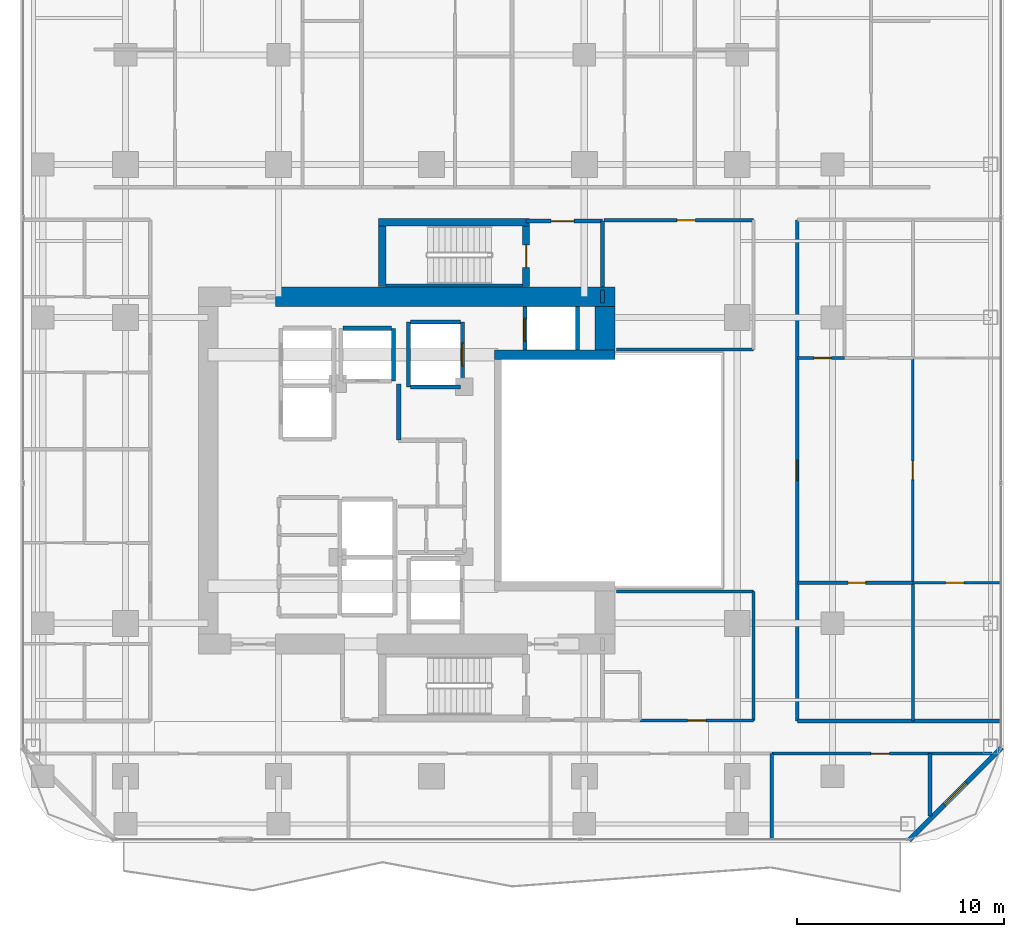
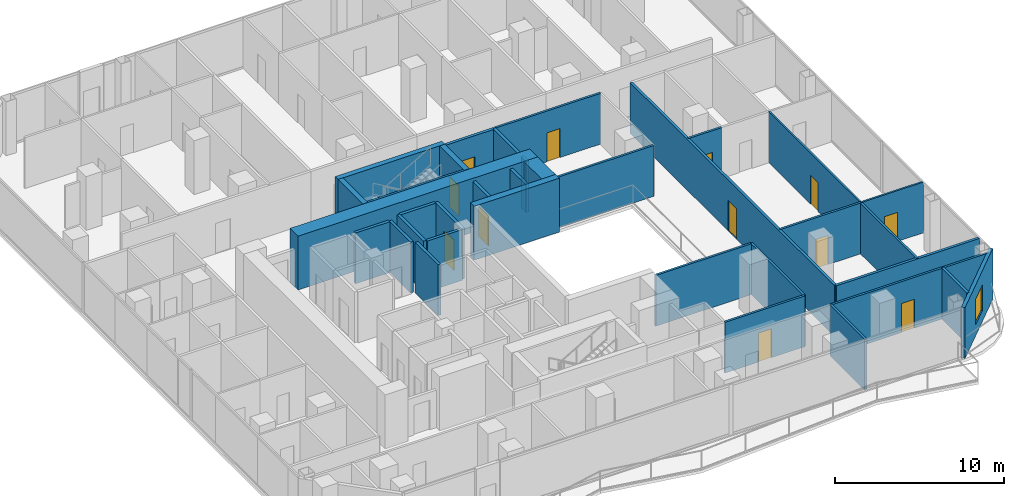
# One storey, part 21 of 26: 35 walls, 12 doors, 1 window, 13 openings.
"""IFC4 building model written with IfcOpenShell, lengths in metres."""

import ifcopenshell
import ifcopenshell.guid

model = None  # the IFC model being written
_history = None  # IfcOwnerHistory: only IFC2X3 demands one
_inside = {}  # id of a spatial element -> (the spatial element, [elements in it])
_under = {}  # id of a project, library or spatial element -> (it, [spatial elements below it])
_declared = {}  # id of a project -> (the project, [libraries it declares])
_typed = {}  # id of a type object -> (the type object, [elements of that type])
_made_of = {}  # id of a material, layer set ... -> (it, [elements and type objects made of it])


def new_model(schema):
    """Start an empty IFC model of exactly this schema.

    Asked for "IFC4X3", IfcOpenShell would pick the latest addendum, in which some entities
    have other attributes; the version numbers below select the first issue.
    IFC2X3 requires an IfcOwnerHistory on every rooted entity: one is made here for all.
    """
    global model, _history
    if schema == "IFC4X3":
        model = ifcopenshell.file(schema_version=(4, 3, 0, 0))
    else:
        model = ifcopenshell.file(schema=schema)
    _inside.clear()
    _under.clear()
    _declared.clear()
    _typed.clear()
    _made_of.clear()
    _history = None
    if model.schema == "IFC2X3":
        org = make("IfcOrganization", Name="unknown")
        user = make(
            "IfcPersonAndOrganization",
            ThePerson=make("IfcPerson", FamilyName="unknown"),
            TheOrganization=org,
        )
        app = make(
            "IfcApplication",
            ApplicationDeveloper=org,
            Version="unknown",
            ApplicationFullName="unknown",
            ApplicationIdentifier="unknown",
        )
        _history = make(
            "IfcOwnerHistory",
            OwningUser=user,
            OwningApplication=app,
            ChangeAction="ADDED",
            CreationDate=0,
        )
    return model


def make(cls, **values):
    """One entity of the class cls with the attributes given. An attribute that is None is left unset."""
    return model.create_entity(
        cls, **{name: value for name, value in values.items() if value is not None}
    )


def rooted(cls, **values):
    """An entity with a GlobalId (a new one), such as an element, a storey or a relation."""
    return make(cls, GlobalId=ifcopenshell.guid.new(), OwnerHistory=_history, **values)


def si_unit(unit_type, name, prefix=None):
    """IfcSIUnit, for example si_unit("LENGTHUNIT", "METRE", prefix="MILLI")."""
    return make("IfcSIUnit", UnitType=unit_type, Prefix=prefix, Name=name)


def assignment(units):
    """IfcUnitAssignment: the units of a project."""
    return None if units is None else make("IfcUnitAssignment", Units=units)


def point(xyz):
    """IfcCartesianPoint."""
    return None if xyz is None else make("IfcCartesianPoint", Coordinates=xyz)


def direction(xyz):
    """IfcDirection."""
    return None if xyz is None else make("IfcDirection", DirectionRatios=xyz)


def frame(location, z_axis=None, x_axis=None):
    """IfcAxis2Placement3D, a coordinate frame: its origin and axes. An axis left out is left unset."""
    return make(
        "IfcAxis2Placement3D",
        Location=point(location),
        Axis=direction(z_axis),
        RefDirection=direction(x_axis),
    )


def frame_2d(location, x_axis=None):
    """IfcAxis2Placement2D, a coordinate frame in the plane: its origin and x axis."""
    return make(
        "IfcAxis2Placement2D", Location=point(location), RefDirection=direction(x_axis)
    )


def origin():
    """The frame at (0, 0, 0) with its axes left unset."""
    return frame((0.0, 0.0, 0.0))


def place(relative_to, where):
    """IfcLocalPlacement: puts the frame where relative to a parent placement (None: the world)."""
    return make(
        "IfcLocalPlacement", PlacementRelTo=relative_to, RelativePlacement=where
    )


def context(
    kind, dimensions, precision=None, world=None, true_north=None, identifier=None
):
    """IfcGeometricRepresentationContext, for example the 3D "Model" context."""
    return make(
        "IfcGeometricRepresentationContext",
        ContextIdentifier=identifier,
        ContextType=kind,
        CoordinateSpaceDimension=dimensions,
        Precision=precision,
        WorldCoordinateSystem=world,
        TrueNorth=true_north,
    )


def subcontext(parent, identifier, kind, view, scale=None):
    """IfcGeometricRepresentationSubContext, for example "Body" below "Model"."""
    return make(
        "IfcGeometricRepresentationSubContext",
        ContextIdentifier=identifier,
        ContextType=kind,
        ParentContext=parent,
        TargetScale=scale,
        TargetView=view,
    )


def project(units=None, contexts=None):
    """IfcProject with its units and contexts."""
    return rooted(
        "IfcProject",
        Name="project",
        RepresentationContexts=contexts,
        UnitsInContext=assignment(units),
    )


def spatial(cls, under=None, at=None, **own):
    """A site, building, storey or space (cls), placed at a placement, below another one or the project."""
    s = rooted(cls, ObjectPlacement=at, **own)
    if under is not None:
        _under.setdefault(under.id(), (under, []))[1].append(s)
    return s


def profile(cls, at=None, kind="AREA", **sizes):
    """A parametric profile (cls). Its sizes go by their IFC names, for example OverallWidth=200.0."""
    return make(cls, ProfileType=kind, Position=at, **sizes)


def rectangle(**sizes):
    """IfcRectangleProfileDef."""
    return profile("IfcRectangleProfileDef", **sizes)


def extrude(swept, where, along, depth):
    """IfcExtrudedAreaSolid: the profile swept, set in the frame where, extruded along a direction by depth."""
    return make(
        "IfcExtrudedAreaSolid",
        SweptArea=swept,
        Position=where,
        ExtrudedDirection=direction(along),
        Depth=depth,
    )


def shape(context_of_items, identifier, shape_type, items):
    """IfcShapeRepresentation: the items that make up one representation, for example the "Body"."""
    return make(
        "IfcShapeRepresentation",
        ContextOfItems=context_of_items,
        RepresentationIdentifier=identifier,
        RepresentationType=shape_type,
        Items=items,
    )


def material(Name=None, Category=None):
    """IfcMaterial."""
    return make("IfcMaterial", Name=Name, Category=Category)


def layer(
    of_material, thickness, ventilated=None, Name=None, Category=None, Priority=None
):
    """IfcMaterialLayer: one layer of a wall or slab, of a material (None: an air gap)."""
    return make(
        "IfcMaterialLayer",
        Material=of_material,
        LayerThickness=thickness,
        IsVentilated=ventilated,
        Name=Name,
        Category=Category,
        Priority=Priority,
    )


def layer_set(layers, Name=None):
    """IfcMaterialLayerSet."""
    return make("IfcMaterialLayerSet", MaterialLayers=layers, LayerSetName=Name)


def made_of(thing, what):
    """Note that an element or type object is made of a material, layer set ...; save() writes the relation."""
    if what is not None:
        _made_of.setdefault(what.id(), (what, []))[1].append(thing)
    return thing


def type_object(cls, material=None, **own):
    """A type object (cls), such as IfcWallType, which elements share."""
    return made_of(rooted(cls, **own), material)


def element(
    cls,
    number,
    at=None,
    inside=None,
    cuts=None,
    type_object=None,
    material=None,
    context=None,
    identifier="Body",
    shape_type=None,
    held_by="IfcProductDefinitionShape",
    body=None,
    shapes=None,
    **own,
):
    """One element of the class cls, such as IfcWall. Its Tag is "e" and its number.

    at: its placement. inside: the storey or other place that contains it. cuts: it is an
    opening in that element (IfcRelVoidsElement). A single representation is given by context,
    identifier, shape_type and body (its items); several are given by shapes. held_by: the class
    of the entity that holds the representations. save() writes the other relations.
    """
    e = rooted(cls, Tag="e%d" % number, ObjectPlacement=at, **own)
    if body is not None:
        shapes = [shape(context, identifier, shape_type, body)]
    if shapes is not None:
        e.Representation = make(held_by, Representations=shapes)
    if inside is not None:
        _inside.setdefault(inside.id(), (inside, []))[1].append(e)
    if cuts is not None:
        rooted(
            "IfcRelVoidsElement", RelatingBuildingElement=cuts, RelatedOpeningElement=e
        )
    if type_object is not None:
        _typed.setdefault(type_object.id(), (type_object, []))[1].append(e)
    return made_of(e, material)


def fill(opening, filler):
    """IfcRelFillsElement: the door or window that sits in an opening."""
    return rooted(
        "IfcRelFillsElement",
        RelatingOpeningElement=opening,
        RelatedBuildingElement=filler,
    )


def aggregate(whole, parts):
    """IfcRelAggregates: a whole, such as a stair, and the parts it consists of."""
    return rooted("IfcRelAggregates", RelatingObject=whole, RelatedObjects=parts)


def save(model, path):
    """Write the relations noted so far, then the file.

    IfcRelAggregates (storeys below a building ...), IfcRelContainedInSpatialStructure (elements
    in a storey), IfcRelDefinesByType, IfcRelAssociatesMaterial and IfcRelDeclares: one each for
    every whole, place, type object, material and project.
    """
    for whole, parts in _under.values():
        aggregate(whole, parts)
    for where, things in _inside.values():
        rooted(
            "IfcRelContainedInSpatialStructure",
            RelatedElements=things,
            RelatingStructure=where,
        )
    for kind, things in _typed.values():
        rooted("IfcRelDefinesByType", RelatedObjects=things, RelatingType=kind)
    for what, things in _made_of.values():
        rooted("IfcRelAssociatesMaterial", RelatedObjects=things, RelatingMaterial=what)
    for by, libraries in _declared.values():
        rooted("IfcRelDeclares", RelatingContext=by, RelatedDefinitions=libraries)
    model.write(path)


model = new_model("IFC4")

# Units and contexts
model_context = context("Model", 3, precision=1e-05, world=origin(), true_north=direction((0.0, 1.0)))
body_context = subcontext(model_context, "Body", "Model", "MODEL_VIEW")
ifc_project = project(units=[si_unit("LENGTHUNIT", "METRE"), si_unit("AREAUNIT", "SQUARE_METRE"), si_unit("VOLUMEUNIT", "CUBIC_METRE"), si_unit("PLANEANGLEUNIT", "RADIAN"), si_unit("MASSUNIT", "GRAM", prefix="KILO")], contexts=[model_context])

# Site, building, storey
site_placement = place(None, origin())
site = spatial("IfcSite", under=ifc_project, at=site_placement, CompositionType="ELEMENT")
building_placement = place(site_placement, origin())
building = spatial("IfcBuilding", under=site, at=building_placement, Name="Khorvyn Point Tower", CompositionType="ELEMENT")
storey_placement = place(building_placement, frame((0.0, 0.0, 113.39990234375)))
storey = spatial("IfcBuildingStorey", under=building, at=storey_placement, Name="L28", CompositionType="ELEMENT", Elevation=113.39990234375)

# Wall, opening, door
ifc_material_1 = material(Name="Double acoustic gypsum on twin steel stud", Category="steel")
ifc_layer_1 = layer(ifc_material_1, 0.179931640625)
ifc_layer_set_1 = layer_set([ifc_layer_1], Name="Acoustic Double-Stud Apartment Demising Wall 180")
wall_type_1 = type_object("IfcWallType", Name="Acoustic Double-Stud Apartment Demising Wall 180", PredefinedType="PARTITIONING", material=ifc_layer_set_1)
wall_1_placement = place(storey_placement, frame((17.699951171875, -12.1201171875, 0.0), z_axis=(0.0, 0.0, 1.0), x_axis=(0.0, 1.0, 0.0)))
wall_1 = element("IfcWall", 1, at=wall_1_placement, inside=storey, type_object=wall_type_1, Name="Wall", PredefinedType="PARTITIONING", context=body_context, shape_type="SweptSolid", body=[
    extrude(rectangle(XDim=24.240234375, YDim=0.179931640625, at=frame_2d((12.1201171875, 0.0))), origin(), (0.0, 0.0, 1.0), 3.68017578125),
])
opening_1_placement = place(wall_1_placement, frame((11.6201171875, 0.0, 0.0)))
opening_1 = element("IfcOpeningElement", 2, at=opening_1_placement, cuts=wall_1, Name="Opening ID-AP60", PredefinedType="OPENING", context=body_context, shape_type="SweptSolid", body=[
    extrude(rectangle(XDim=1.0, YDim=2.199951171875, at=frame_2d((0.5, 1.10009765625))), frame((0.0, 0.099853515625, 0.0), z_axis=(0.0, -1.0, 0.0), x_axis=(1.0, 0.0, 0.0)), (0.0, 0.0, 1.0), 0.199951171875),
])
ifc_material_2 = material(Name="Engineered hardwood fire-rated leaf", Category="wood")
door_type_1 = type_object("IfcDoorType", Name="Acoustic Solid-Core Timber Apartment Entrance Door 1000x2200", OperationType="NOTDEFINED", PredefinedType="DOOR", material=ifc_material_2)
door_1_placement = place(opening_1_placement, origin())
door_1 = element("IfcDoor", 3, at=door_1_placement, inside=storey, type_object=door_type_1, Name="Door", OperationType="SINGLE_SWING_RIGHT", OverallHeight=2.199951171875, OverallWidth=1.0, PredefinedType="DOOR", context=body_context, shape_type="SweptSolid", body=[
    extrude(rectangle(XDim=1.0, YDim=2.199951171875, at=frame_2d((0.5, 1.10009765625))), frame((0.0, 0.02490234375, 0.0), z_axis=(0.0, -1.0, 0.0), x_axis=(1.0, 0.0, 0.0)), (0.0, 0.0, 1.0), 0.050048828125),
])
fill(opening_1, door_1)

# Walls
wall_2_placement = place(storey_placement, frame((24.1201171875, -16.7099609375, 0.0), z_axis=(0.0, 0.0, 1.0), x_axis=(0.0, 1.0, 0.0)))
element("IfcWall", 4, at=wall_2_placement, inside=storey, type_object=wall_type_1, Name="Wall", PredefinedType="PARTITIONING", context=body_context, shape_type="SweptSolid", body=[
    extrude(rectangle(XDim=3.010009765625, YDim=0.179931640625, at=frame_2d((1.5048828125, 0.0))), origin(), (0.0, 0.0, 1.0), 3.68017578125),
])
wall_3_placement = place(storey_placement, frame((17.699951171875, -12.1201171875, 0.0), z_axis=(0.0, 0.0, 1.0), x_axis=(1.0, 0.0, 0.0)))
element("IfcWall", 5, at=wall_3_placement, inside=storey, type_object=wall_type_1, Name="Wall", PredefinedType="PARTITIONING", context=body_context, shape_type="SweptSolid", body=[
    extrude(rectangle(XDim=9.830078125, YDim=0.179931640625, at=frame_2d((4.9150390625, 0.0))), origin(), (0.0, 0.0, 1.0), 3.68017578125),
])

# Wall, opening, window
ifc_material_3 = material(Name="Pale anodised aluminium rainscreen on steel stud", Category="steel")
ifc_layer_2 = layer(ifc_material_3, 0.239990234375)
ifc_layer_set_2 = layer_set([ifc_layer_2], Name="Anodised Aluminium Insulated Corner Spandrel Wall 240")
wall_type_2 = type_object("IfcWallType", Name="Anodised Aluminium Insulated Corner Spandrel Wall 240", PredefinedType="SOLIDWALL", material=ifc_layer_set_2)
wall_4_placement = place(storey_placement, frame((27.59228515625, -13.40771484375, 0.0), z_axis=(0.0, 0.0, 1.0), x_axis=(-0.707106781187, -0.707106781187, 0.0)))
wall_4 = element("IfcWall", 6, at=wall_4_placement, inside=storey, type_object=wall_type_2, Name="L28 Rounded Corner Wall SE", PredefinedType="SOLIDWALL", context=body_context, shape_type="SweptSolid", body=[
    extrude(rectangle(XDim=6.34228515625, YDim=0.239990234375, at=frame_2d((3.171142578125, 0.0))), origin(), (0.0, 0.0, 1.0), 3.68017578125),
])
opening_2_placement = place(wall_4_placement, frame((2.42138671875, 0.0, 0.800048828125)))
opening_2 = element("IfcOpeningElement", 7, at=opening_2_placement, cuts=wall_4, Name="Opening WN-1518", PredefinedType="OPENING", context=body_context, shape_type="SweptSolid", body=[
    extrude(rectangle(XDim=1.5, YDim=1.85009765625, at=frame_2d((0.75, 0.925048828125))), frame((0.0, 0.1298828125, 0.0), z_axis=(0.0, -1.0, 0.0), x_axis=(1.0, 0.0, 0.0)), (0.0, 0.0, 1.0), 0.260009765625),
])
ifc_material_4 = material(Name="Anodised aluminium 6063-T6 and laminated Low-E glass", Category="aluminium")
window_type = type_object("IfcWindowType", Name="Anodised Aluminium Rounded-Corner Panoramic Window 1500x1850", PartitioningType="SINGLE_PANEL", PredefinedType="WINDOW", material=ifc_material_4)
window_placement = place(opening_2_placement, origin())
window = element("IfcWindow", 8, at=window_placement, inside=storey, type_object=window_type, Name="L28 Corner Panoramic Window SE", OverallHeight=1.85009765625, OverallWidth=1.5, PartitioningType="SINGLE_PANEL", PredefinedType="WINDOW", context=body_context, shape_type="SweptSolid", body=[
    extrude(rectangle(XDim=1.5, YDim=1.85009765625, at=frame_2d((0.75, 0.925048828125))), frame((0.0, 0.030029296875, 0.0), z_axis=(0.0, -1.0, 0.0), x_axis=(1.0, 0.0, 0.0)), (0.0, 0.0, 1.0), 0.06005859375),
])
fill(opening_2, window)

# Wall
ifc_material_5 = material(Name="Concrete C40/50", Category="concrete")
ifc_layer_3 = layer(ifc_material_5, 0.449951171875)
ifc_layer_set_3 = layer_set([ifc_layer_3], Name="Concrete C40/50 Core Shear Wall 450")
wall_type_3 = type_object("IfcWallType", Name="Concrete C40/50 Core Shear Wall 450", PredefinedType="SHEAR", material=ifc_layer_set_3)
wall_5_placement = place(storey_placement, frame((3.044921875, 5.60009765625, 0.0), z_axis=(0.0, 0.0, 1.0), x_axis=(1.0, 0.0, 0.0)))
element("IfcWall", 9, at=wall_5_placement, inside=storey, type_object=wall_type_3, Name="Wall", PredefinedType="SHEAR", context=body_context, shape_type="SweptSolid", body=[
    extrude(rectangle(XDim=5.830078125, YDim=0.449951171875, at=frame_2d((2.9150390625, 0.0))), origin(), (0.0, 0.0, 1.0), 3.900146484375),
])

# Wall, opening, door
ifc_layer_4 = layer(ifc_material_5, 0.199951171875)
ifc_layer_set_4 = layer_set([ifc_layer_4], Name="Concrete C40/50 Fire-Lobby Compartment Wall 200")
wall_type_4 = type_object("IfcWallType", Name="Concrete C40/50 Fire-Lobby Compartment Wall 200", PredefinedType="SOLIDWALL", material=ifc_layer_set_4)
wall_6_placement = place(storey_placement, frame((4.580078125, 12.06005859375, 0.0), z_axis=(0.0, 0.0, 1.0), x_axis=(1.0, 0.0, 0.0)))
wall_6 = element("IfcWall", 10, at=wall_6_placement, inside=storey, type_object=wall_type_4, Name="Wall", PredefinedType="SOLIDWALL", context=body_context, shape_type="SweptSolid", body=[
    extrude(rectangle(XDim=3.699951171875, YDim=0.199951171875, at=frame_2d((1.85009765625, 0.0))), origin(), (0.0, 0.0, 1.0), 3.68017578125),
])
opening_3_placement = place(wall_6_placement, frame((1.21240234375, 0.0, 0.0)))
opening_3 = element("IfcOpeningElement", 11, at=opening_3_placement, cuts=wall_6, Name="Opening ID-FL90", PredefinedType="OPENING", context=body_context, shape_type="SweptSolid", body=[
    extrude(rectangle(XDim=1.10009765625, YDim=2.14990234375, at=frame_2d((0.550048828125, 1.074951171875))), frame((0.0, 0.10986328125, 0.0), z_axis=(0.0, -1.0, 0.0), x_axis=(1.0, 0.0, 0.0)), (0.0, 0.0, 1.0), 0.219970703125),
])
ifc_material_6 = material(Name="Galvanised powder-coated steel", Category="steel")
door_type_2 = type_object("IfcDoorType", Name="Fire-Rated Steel Lobby and Stair Door 1100x2150", OperationType="NOTDEFINED", PredefinedType="DOOR", material=ifc_material_6)
door_2_placement = place(opening_3_placement, origin())
door_2 = element("IfcDoor", 12, at=door_2_placement, inside=storey, type_object=door_type_2, Name="Door", OperationType="SINGLE_SWING_RIGHT", OverallHeight=2.14990234375, OverallWidth=1.10009765625, PredefinedType="DOOR", context=body_context, shape_type="SweptSolid", body=[
    extrude(rectangle(XDim=1.10009765625, YDim=2.14990234375, at=frame_2d((0.550048828125, 1.074951171875))), frame((0.0, 0.02490234375, 0.0), z_axis=(0.0, -1.0, 0.0), x_axis=(1.0, 0.0, 0.0)), (0.0, 0.0, 1.0), 0.050048828125),
])
fill(opening_3, door_2)

# Walls
wall_7_placement = place(storey_placement, frame((8.280029296875, 8.875, 0.0), z_axis=(0.0, 0.0, 1.0), x_axis=(0.0, 1.0, 0.0)))
element("IfcWall", 13, at=wall_7_placement, inside=storey, type_object=wall_type_4, Name="Wall", PredefinedType="SOLIDWALL", context=body_context, shape_type="SweptSolid", body=[
    extrude(rectangle(XDim=3.18505859375, YDim=0.199951171875, at=frame_2d((1.592529296875, 0.0))), origin(), (0.0, 0.0, 1.0), 3.68017578125),
])
wall_8_placement = place(storey_placement, frame((-1.580078125, 1.47998046875, 0.0), z_axis=(0.0, 0.0, 1.0), x_axis=(0.0, 1.0, 0.0)))
element("IfcWall", 14, at=wall_8_placement, inside=storey, type_object=wall_type_4, Name="Wall", PredefinedType="SOLIDWALL", context=body_context, shape_type="SweptSolid", body=[
    extrude(rectangle(XDim=2.699951171875, YDim=0.199951171875, at=frame_2d((1.35009765625, 0.0))), origin(), (0.0, 0.0, 1.0), 3.68017578125),
])
wall_9_placement = place(storey_placement, frame((8.280029296875, 8.10009765625, 0.0), z_axis=(0.0, 0.0, 1.0), x_axis=(0.0, 1.0, 0.0)))
element("IfcWall", 15, at=wall_9_placement, inside=storey, type_object=wall_type_4, Name="Wall", PredefinedType="SOLIDWALL", context=body_context, shape_type="SweptSolid", body=[
    extrude(rectangle(XDim=0.625, YDim=0.199951171875, at=frame_2d((0.3125, 0.0))), origin(), (0.0, 0.0, 1.0), 3.68017578125),
])
ifc_layer_5 = layer(ifc_material_5, 0.25)
ifc_layer_set_5 = layer_set([ifc_layer_5], Name="Concrete C40/50 Stair Inner Cheek Structural Wall 250")
wall_type_5 = type_object("IfcWallType", Name="Concrete C40/50 Stair Inner Cheek Structural Wall 250", PredefinedType="SHEAR", material=ifc_layer_set_5)
wall_10_placement = place(storey_placement, frame((-2.199951171875, 8.949951171875, 0.0), z_axis=(0.0, 0.0, 1.0), x_axis=(1.0, 0.0, 0.0)))
element("IfcWall", 16, at=wall_10_placement, inside=storey, type_object=wall_type_5, Name="Wall", PredefinedType="SHEAR", context=body_context, shape_type="SweptSolid", body=[
    extrude(rectangle(XDim=6.599853515625, YDim=0.14990234375, at=frame_2d((3.2998046875, 0.0))), origin(), (0.0, 0.0, 1.0), 3.900146484375),
])
ifc_layer_6 = layer(ifc_material_5, 0.35009765625)
ifc_layer_set_6 = layer_set([ifc_layer_6], Name="Concrete C40/50 Stair Shaft Structural Wall 350")
wall_type_6 = type_object("IfcWallType", Name="Concrete C40/50 Stair Shaft Structural Wall 350", PredefinedType="SHEAR", material=ifc_layer_set_6)
wall_11_placement = place(storey_placement, frame((-2.554931640625, 12.0, 0.0), z_axis=(0.0, 0.0, 1.0), x_axis=(1.0, 0.0, 0.0)))
element("IfcWall", 17, at=wall_11_placement, inside=storey, type_object=wall_type_6, Name="L28 ST-02 North Shaft Wall", PredefinedType="SHEAR", context=body_context, shape_type="SweptSolid", body=[
    extrude(rectangle(XDim=7.309814453125, YDim=0.35009765625, at=frame_2d((3.65478515625, 0.0))), origin(), (0.0, 0.0, 1.0), 3.900146484375),
])
wall_12_placement = place(storey_placement, frame((-2.3798828125, 8.89990234375, 0.0), z_axis=(0.0, 0.0, 1.0), x_axis=(0.0, 1.0, 0.0)))
element("IfcWall", 18, at=wall_12_placement, inside=storey, type_object=wall_type_6, Name="L28 ST-02 West Shaft Wall", PredefinedType="SHEAR", context=body_context, shape_type="SweptSolid", body=[
    extrude(rectangle(XDim=2.925048828125, YDim=0.35009765625, at=frame_2d((1.46240234375, 0.0))), origin(), (0.0, 0.0, 1.0), 3.900146484375),
])

# Wall, opening, door
wall_13_placement = place(storey_placement, frame((4.580078125, 11.824951171875, 0.0), z_axis=(0.0, 0.0, 1.0), x_axis=(0.0, -1.0, 0.0)))
wall_13 = element("IfcWall", 19, at=wall_13_placement, inside=storey, type_object=wall_type_6, Name="L28 ST-02 East Landing Door Wall", PredefinedType="SHEAR", context=body_context, shape_type="SweptSolid", body=[
    extrude(rectangle(XDim=2.925048828125, YDim=0.35009765625, at=frame_2d((1.46240234375, 0.0))), origin(), (0.0, 0.0, 1.0), 3.900146484375),
])
opening_4_placement = place(wall_13_placement, frame((0.91259765625, 0.0, 0.0)))
opening_4 = element("IfcOpeningElement", 20, at=opening_4_placement, cuts=wall_13, Name="Opening ID-FL90", PredefinedType="OPENING", context=body_context, shape_type="SweptSolid", body=[
    extrude(rectangle(XDim=1.10009765625, YDim=2.14990234375, at=frame_2d((0.550048828125, 1.074951171875))), frame((0.0, 0.18505859375, 0.0), z_axis=(0.0, -1.0, 0.0), x_axis=(1.0, 0.0, 0.0)), (0.0, 0.0, 1.0), 0.3701171875),
])
door_3_placement = place(opening_4_placement, origin())
door_3 = element("IfcDoor", 21, at=door_3_placement, inside=storey, type_object=door_type_2, Name="L28 ST-02 Smokeproof Landing Door", OperationType="SINGLE_SWING_LEFT", OverallHeight=2.14990234375, OverallWidth=1.10009765625, PredefinedType="DOOR", context=body_context, shape_type="SweptSolid", body=[
    extrude(rectangle(XDim=1.10009765625, YDim=2.14990234375, at=frame_2d((0.550048828125, 1.074951171875))), frame((0.0, 0.02490234375, 0.0), z_axis=(0.0, -1.0, 0.0), x_axis=(1.0, 0.0, 0.0)), (0.0, 0.0, 1.0), 0.050048828125),
])
fill(opening_4, door_3)

# Walls
ifc_layer_7 = layer(ifc_material_5, 0.199951171875)
ifc_layer_set_7 = layer_set([ifc_layer_7], Name="Concrete C40/50 Structural Hoistway and Stair Shaft Wall 200")
wall_type_7 = type_object("IfcWallType", Name="Concrete C40/50 Structural Hoistway and Stair Shaft Wall 200", PredefinedType="SHEAR", material=ifc_layer_set_7)
wall_14_placement = place(storey_placement, frame((-1.824951171875, 4.324951171875, 0.0), z_axis=(0.0, 0.0, 1.0), x_axis=(0.0, 1.0, 0.0)))
element("IfcWall", 22, at=wall_14_placement, inside=storey, type_object=wall_type_7, Name="Wall", PredefinedType="SHEAR", context=body_context, shape_type="SweptSolid", body=[
    extrude(rectangle(XDim=2.550048828125, YDim=0.199951171875, at=frame_2d((1.27490234375, 0.0))), origin(), (0.0, 0.0, 1.0), 3.68017578125),
])
wall_15_placement = place(storey_placement, frame((-4.27490234375, 6.875, 0.0), z_axis=(0.0, 0.0, 1.0), x_axis=(1.0, 0.0, 0.0)))
element("IfcWall", 23, at=wall_15_placement, inside=storey, type_object=wall_type_7, Name="Wall", PredefinedType="SHEAR", context=body_context, shape_type="SweptSolid", body=[
    extrude(rectangle(XDim=2.349853515625, YDim=0.199951171875, at=frame_2d((1.1748046875, 0.0))), origin(), (0.0, 0.0, 1.0), 3.68017578125),
])
wall_16_placement = place(storey_placement, frame((-1.10009765625, 4.02490234375, 0.0), z_axis=(0.0, 0.0, 1.0), x_axis=(0.0, 1.0, 0.0)))
element("IfcWall", 24, at=wall_16_placement, inside=storey, type_object=wall_type_7, Name="Wall", PredefinedType="SHEAR", context=body_context, shape_type="SweptSolid", body=[
    extrude(rectangle(XDim=3.150146484375, YDim=0.199951171875, at=frame_2d((1.5751953125, 0.0))), origin(), (0.0, 0.0, 1.0), 3.68017578125),
])

# Wall, opening, door
wall_17_placement = place(storey_placement, frame((1.5, 4.02490234375, 0.0), z_axis=(0.0, 0.0, 1.0), x_axis=(0.0, 1.0, 0.0)))
wall_17 = element("IfcWall", 25, at=wall_17_placement, inside=storey, type_object=wall_type_7, Name="Wall", PredefinedType="SHEAR", context=body_context, shape_type="SweptSolid", body=[
    extrude(rectangle(XDim=3.150146484375, YDim=0.199951171875, at=frame_2d((1.5751953125, 0.0))), origin(), (0.0, 0.0, 1.0), 3.68017578125),
])
opening_5_placement = place(wall_17_placement, frame((1.02490234375, 0.0, 0.0)))
opening_5 = element("IfcOpeningElement", 26, at=opening_5_placement, cuts=wall_17, Name="Opening LD-1122", PredefinedType="OPENING", context=body_context, shape_type="SweptSolid", body=[
    extrude(rectangle(XDim=1.10009765625, YDim=2.199951171875, at=frame_2d((0.550048828125, 1.10009765625))), frame((0.0, 0.10986328125, 0.0), z_axis=(0.0, -1.0, 0.0), x_axis=(1.0, 0.0, 0.0)), (0.0, 0.0, 1.0), 0.219970703125),
])
ifc_material_7 = material(Name="Stainless steel 1.4301", Category="steel")
door_type_3 = type_object("IfcDoorType", Name="Stainless Steel Automatic Sliding Lift Landing Door 1100x2200", OperationType="SLIDING_TO_LEFT", PredefinedType="DOOR", material=ifc_material_7)
door_4_placement = place(opening_5_placement, origin())
door_4 = element("IfcDoor", 27, at=door_4_placement, inside=storey, type_object=door_type_3, Name="L28 SV-01 Sliding Lift Landing Door", OperationType="SLIDING_TO_LEFT", OverallHeight=2.199951171875, OverallWidth=1.10009765625, PredefinedType="DOOR", context=body_context, shape_type="SweptSolid", body=[
    extrude(rectangle(XDim=1.10009765625, YDim=2.199951171875, at=frame_2d((0.550048828125, 1.10009765625))), frame((0.0, 0.02490234375, 0.0), z_axis=(0.0, -1.0, 0.0), x_axis=(1.0, 0.0, 0.0)), (0.0, 0.0, 1.0), 0.050048828125),
])
fill(opening_5, door_4)

# Walls
for number, where, z_axis, x_axis, name in (
    (28, (-1.0, 4.02490234375, 0.0), (0.0, 0.0, 1.0), (1.0, 0.0, 0.0), "Wall"),
    (29, (-1.0, 7.175048828125, 0.0), (0.0, 0.0, 1.0), (1.0, 0.0, 0.0), "Wall"),
):
    element("IfcWall", number, at=place(storey_placement, frame(where, z_axis=z_axis, x_axis=x_axis)), inside=storey, type_object=wall_type_7, Name=name, PredefinedType="SHEAR", context=body_context, shape_type="SweptSolid", body=[
        extrude(rectangle(XDim=2.39990234375, YDim=0.199951171875, at=frame_2d((1.199951171875, 0.0))), origin(), (0.0, 0.0, 1.0), 3.68017578125),
    ])

# Wall, opening, door
wall_18_placement = place(storey_placement, frame((4.52490234375, 5.824951171875, 0.0), z_axis=(0.0, 0.0, 1.0), x_axis=(0.0, 1.0, 0.0)))
wall_18 = element("IfcWall", 30, at=wall_18_placement, inside=storey, type_object=wall_type_7, Name="Wall", PredefinedType="SHEAR", context=body_context, shape_type="SweptSolid", body=[
    extrude(rectangle(XDim=2.10009765625, YDim=0.199951171875, at=frame_2d((1.050048828125, 0.0))), origin(), (0.0, 0.0, 1.0), 3.68017578125),
])
opening_6_placement = place(wall_18_placement, frame((0.425048828125, 0.0, 0.0)))
opening_6 = element("IfcOpeningElement", 31, at=opening_6_placement, cuts=wall_18, Name="Opening LD-1122", PredefinedType="OPENING", context=body_context, shape_type="SweptSolid", body=[
    extrude(rectangle(XDim=1.10009765625, YDim=2.199951171875, at=frame_2d((0.550048828125, 1.10009765625))), frame((0.0, 0.10986328125, 0.0), z_axis=(0.0, -1.0, 0.0), x_axis=(1.0, 0.0, 0.0)), (0.0, 0.0, 1.0), 0.219970703125),
])
door_5_placement = place(opening_6_placement, origin())
door_5 = element("IfcDoor", 32, at=door_5_placement, inside=storey, type_object=door_type_3, Name="L28 FF-02 Sliding Lift Landing Door", OperationType="SLIDING_TO_LEFT", OverallHeight=2.199951171875, OverallWidth=1.10009765625, PredefinedType="DOOR", context=body_context, shape_type="SweptSolid", body=[
    extrude(rectangle(XDim=1.10009765625, YDim=2.199951171875, at=frame_2d((0.550048828125, 1.10009765625))), frame((0.0, 0.02490234375, 0.0), z_axis=(0.0, -1.0, 0.0), x_axis=(1.0, 0.0, 0.0)), (0.0, 0.0, 1.0), 0.050048828125),
])
fill(opening_6, door_5)

# Walls
wall_19_placement = place(storey_placement, frame((7.074951171875, 5.824951171875, 0.0), z_axis=(0.0, 0.0, 1.0), x_axis=(0.0, 1.0, 0.0)))
element("IfcWall", 33, at=wall_19_placement, inside=storey, type_object=wall_type_7, Name="Wall", PredefinedType="SHEAR", context=body_context, shape_type="SweptSolid", body=[
    extrude(rectangle(XDim=2.10009765625, YDim=0.199951171875, at=frame_2d((1.050048828125, 0.0))), origin(), (0.0, 0.0, 1.0), 3.68017578125),
])
ifc_material_8 = material(Name="Concrete C50/60", Category="concrete")
ifc_layer_8 = layer(ifc_material_8, 0.949951171875)
ifc_layer_set_8 = layer_set([ifc_layer_8], Name="Concrete C50/60 Core Shear Wall 950")
wall_type_8 = type_object("IfcWallType", Name="Concrete C50/60 Core Shear Wall 950", PredefinedType="SHEAR", material=ifc_layer_set_8)
wall_20_placement = place(storey_placement, frame((-7.550048828125, 8.39990234375, 0.0), z_axis=(0.0, 0.0, 1.0), x_axis=(1.0, 0.0, 0.0)))
element("IfcWall", 34, at=wall_20_placement, inside=storey, type_object=wall_type_8, Name="Wall", PredefinedType="SHEAR", context=body_context, shape_type="SweptSolid", body=[
    extrude(rectangle(XDim=16.425048828125, YDim=0.949951171875, at=frame_2d((8.21240234375, 0.0))), origin(), (0.0, 0.0, 1.0), 3.900146484375),
])
wall_21_placement = place(storey_placement, frame((8.39990234375, 5.824951171875, 0.0), z_axis=(0.0, 0.0, 1.0), x_axis=(0.0, 1.0, 0.0)))
element("IfcWall", 35, at=wall_21_placement, inside=storey, type_object=wall_type_8, Name="Wall", PredefinedType="SHEAR", context=body_context, shape_type="SweptSolid", body=[
    extrude(rectangle(XDim=2.10009765625, YDim=0.949951171875, at=frame_2d((1.050048828125, 0.0))), origin(), (0.0, 0.0, 1.0), 3.900146484375),
])

# Wall, opening, door
ifc_material_9 = material(Name="Gypsum plasterboard on steel stud", Category="steel")
ifc_layer_9 = layer(ifc_material_9, 0.1201171875)
ifc_layer_set_9 = layer_set([ifc_layer_9], Name="Gypsum Acoustic Stud Room Partition Wall 120")
wall_type_9 = type_object("IfcWallType", Name="Gypsum Acoustic Stud Room Partition Wall 120", PredefinedType="PARTITIONING", material=ifc_layer_set_9)
wall_22_placement = place(storey_placement, frame((23.2900390625, -5.43603515625, 0.0), z_axis=(0.0, 0.0, 1.0), x_axis=(0.0, 1.0, 0.0)))
wall_22 = element("IfcWall", 36, at=wall_22_placement, inside=storey, type_object=wall_type_9, Name="Wall", PredefinedType="PARTITIONING", context=body_context, shape_type="SweptSolid", body=[
    extrude(rectangle(XDim=10.8720703125, YDim=0.1201171875, at=frame_2d((5.43603515625, 0.0))), origin(), (0.0, 0.0, 1.0), 3.68017578125),
])
opening_7_placement = place(wall_22_placement, frame((4.986083984375, 0.0, 0.0)))
opening_7 = element("IfcOpeningElement", 37, at=opening_7_placement, cuts=wall_22, Name="Opening ID-RM90", PredefinedType="OPENING", context=body_context, shape_type="SweptSolid", body=[
    extrude(rectangle(XDim=0.89990234375, YDim=2.10009765625, at=frame_2d((0.449951171875, 1.050048828125))), frame((0.0, 0.070068359375, 0.0), z_axis=(0.0, -1.0, 0.0), x_axis=(1.0, 0.0, 0.0)), (0.0, 0.0, 1.0), 0.14013671875),
])
ifc_material_10 = material(Name="Engineered oak veneer timber", Category="wood")
door_type_4 = type_object("IfcDoorType", Name="Flush Engineered Timber Room Door 900x2100", OperationType="NOTDEFINED", PredefinedType="DOOR", material=ifc_material_10)
door_6_placement = place(opening_7_placement, origin())
door_6 = element("IfcDoor", 38, at=door_6_placement, inside=storey, type_object=door_type_4, Name="Door", OperationType="SINGLE_SWING_LEFT", OverallHeight=2.10009765625, OverallWidth=0.89990234375, PredefinedType="DOOR", context=body_context, shape_type="SweptSolid", body=[
    extrude(rectangle(XDim=0.89990234375, YDim=2.10009765625, at=frame_2d((0.449951171875, 1.050048828125))), frame((0.0, 0.02490234375, 0.0), z_axis=(0.0, -1.0, 0.0), x_axis=(1.0, 0.0, 0.0)), (0.0, 0.0, 1.0), 0.050048828125),
])
fill(opening_7, door_6)

wall_23_placement = place(storey_placement, frame((23.2900390625, -5.43603515625, 0.0), z_axis=(0.0, 0.0, 1.0), x_axis=(1.0, 0.0, 0.0)))
wall_23 = element("IfcWall", 39, at=wall_23_placement, inside=storey, type_object=wall_type_9, Name="Wall", PredefinedType="PARTITIONING", context=body_context, shape_type="SweptSolid", body=[
    extrude(rectangle(XDim=4.239990234375, YDim=0.1201171875, at=frame_2d((2.1201171875, 0.0))), origin(), (0.0, 0.0, 1.0), 3.68017578125),
])
opening_8_placement = place(wall_23_placement, frame((1.581298828125, 0.0, 0.0)))
opening_8 = element("IfcOpeningElement", 40, at=opening_8_placement, cuts=wall_23, Name="Opening ID-RM90", PredefinedType="OPENING", context=body_context, shape_type="SweptSolid", body=[
    extrude(rectangle(XDim=0.89990234375, YDim=2.10009765625, at=frame_2d((0.449951171875, 1.050048828125))), frame((0.0, 0.070068359375, 0.0), z_axis=(0.0, -1.0, 0.0), x_axis=(1.0, 0.0, 0.0)), (0.0, 0.0, 1.0), 0.14013671875),
])
door_7_placement = place(opening_8_placement, origin())
door_7 = element("IfcDoor", 41, at=door_7_placement, inside=storey, type_object=door_type_4, Name="Door", OperationType="SINGLE_SWING_LEFT", OverallHeight=2.10009765625, OverallWidth=0.89990234375, PredefinedType="DOOR", context=body_context, shape_type="SweptSolid", body=[
    extrude(rectangle(XDim=0.89990234375, YDim=2.10009765625, at=frame_2d((0.449951171875, 1.050048828125))), frame((0.0, 0.02490234375, 0.0), z_axis=(0.0, -1.0, 0.0), x_axis=(1.0, 0.0, 0.0)), (0.0, 0.0, 1.0), 0.050048828125),
])
fill(opening_8, door_7)

ifc_material_11 = material(Name="Moisture-resistant gypsum and cement board", Category="gypsum")
ifc_layer_10 = layer(ifc_material_11, 0.14990234375)
ifc_layer_set_10 = layer_set([ifc_layer_10], Name="Moisture-Resistant Wet-Room Partition Wall 150")
wall_type_10 = type_object("IfcWallType", Name="Moisture-Resistant Wet-Room Partition Wall 150", PredefinedType="PARTITIONING", material=ifc_layer_set_10)
wall_24_placement = place(storey_placement, frame((10.10009765625, -12.10009765625, 0.0), z_axis=(0.0, 0.0, 1.0), x_axis=(1.0, 0.0, 0.0)))
wall_24 = element("IfcWall", 42, at=wall_24_placement, inside=storey, type_object=wall_type_10, Name="Wall", PredefinedType="PARTITIONING", context=body_context, shape_type="SweptSolid", body=[
    extrude(rectangle(XDim=5.47998046875, YDim=0.14990234375, at=frame_2d((2.739990234375, 0.0))), origin(), (0.0, 0.0, 1.0), 3.68017578125),
])
opening_9_placement = place(wall_24_placement, frame((2.2900390625, 0.0, 0.0)))
opening_9 = element("IfcOpeningElement", 43, at=opening_9_placement, cuts=wall_24, Name="Opening ID-RM90", PredefinedType="OPENING", context=body_context, shape_type="SweptSolid", body=[
    extrude(rectangle(XDim=0.89990234375, YDim=2.10009765625, at=frame_2d((0.449951171875, 1.050048828125))), frame((0.0, 0.0849609375, 0.0), z_axis=(0.0, -1.0, 0.0), x_axis=(1.0, 0.0, 0.0)), (0.0, 0.0, 1.0), 0.169921875),
])
door_8_placement = place(opening_9_placement, origin())
door_8 = element("IfcDoor", 44, at=door_8_placement, inside=storey, type_object=door_type_4, Name="Door", OperationType="SINGLE_SWING_RIGHT", OverallHeight=2.10009765625, OverallWidth=0.89990234375, PredefinedType="DOOR", context=body_context, shape_type="SweptSolid", body=[
    extrude(rectangle(XDim=0.89990234375, YDim=2.10009765625, at=frame_2d((0.449951171875, 1.050048828125))), frame((0.0, 0.02490234375, 0.0), z_axis=(0.0, -1.0, 0.0), x_axis=(1.0, 0.0, 0.0)), (0.0, 0.0, 1.0), 0.050048828125),
])
fill(opening_9, door_8)

wall_25_placement = place(storey_placement, frame((8.360107421875, 12.10009765625, 0.0), z_axis=(0.0, 0.0, 1.0), x_axis=(1.0, 0.0, 0.0)))
wall_25 = element("IfcWall", 45, at=wall_25_placement, inside=storey, type_object=wall_type_10, Name="Wall", PredefinedType="PARTITIONING", context=body_context, shape_type="SweptSolid", body=[
    extrude(rectangle(XDim=7.219970703125, YDim=0.14990234375, at=frame_2d((3.60986328125, 0.0))), origin(), (0.0, 0.0, 1.0), 3.68017578125),
])
opening_10_placement = place(wall_25_placement, frame((3.512939453125, 0.0, 0.0)))
opening_10 = element("IfcOpeningElement", 46, at=opening_10_placement, cuts=wall_25, Name="Opening ID-RM90", PredefinedType="OPENING", context=body_context, shape_type="SweptSolid", body=[
    extrude(rectangle(XDim=0.89990234375, YDim=2.10009765625, at=frame_2d((0.449951171875, 1.050048828125))), frame((0.0, 0.0849609375, 0.0), z_axis=(0.0, -1.0, 0.0), x_axis=(1.0, 0.0, 0.0)), (0.0, 0.0, 1.0), 0.169921875),
])
door_9_placement = place(opening_10_placement, origin())
door_9 = element("IfcDoor", 47, at=door_9_placement, inside=storey, type_object=door_type_4, Name="Door", OperationType="SINGLE_SWING_LEFT", OverallHeight=2.10009765625, OverallWidth=0.89990234375, PredefinedType="DOOR", context=body_context, shape_type="SweptSolid", body=[
    extrude(rectangle(XDim=0.89990234375, YDim=2.10009765625, at=frame_2d((0.449951171875, 1.050048828125))), frame((0.0, 0.02490234375, 0.0), z_axis=(0.0, -1.0, 0.0), x_axis=(1.0, 0.0, 0.0)), (0.0, 0.0, 1.0), 0.050048828125),
])
fill(opening_10, door_9)

wall_26_placement = place(storey_placement, frame((16.465087890625, -13.699951171875, 0.0), z_axis=(0.0, 0.0, 1.0), x_axis=(1.0, 0.0, 0.0)))
wall_26 = element("IfcWall", 48, at=wall_26_placement, inside=storey, type_object=wall_type_10, Name="Wall", PredefinedType="PARTITIONING", context=body_context, shape_type="SweptSolid", body=[
    extrude(rectangle(XDim=10.664794921875, YDim=0.14990234375, at=frame_2d((5.33251953125, 0.0))), origin(), (0.0, 0.0, 1.0), 3.68017578125),
])
opening_11_placement = place(wall_26_placement, frame((4.79345703125, 0.0, 0.0)))
opening_11 = element("IfcOpeningElement", 49, at=opening_11_placement, cuts=wall_26, Name="Opening ID-RM90", PredefinedType="OPENING", context=body_context, shape_type="SweptSolid", body=[
    extrude(rectangle(XDim=0.89990234375, YDim=2.10009765625, at=frame_2d((0.449951171875, 1.050048828125))), frame((0.0, 0.0849609375, 0.0), z_axis=(0.0, -1.0, 0.0), x_axis=(1.0, 0.0, 0.0)), (0.0, 0.0, 1.0), 0.169921875),
])
door_10_placement = place(opening_11_placement, origin())
door_10 = element("IfcDoor", 50, at=door_10_placement, inside=storey, type_object=door_type_4, Name="Door", OperationType="SINGLE_SWING_LEFT", OverallHeight=2.10009765625, OverallWidth=0.89990234375, PredefinedType="DOOR", context=body_context, shape_type="SweptSolid", body=[
    extrude(rectangle(XDim=0.89990234375, YDim=2.10009765625, at=frame_2d((0.449951171875, 1.050048828125))), frame((0.0, 0.02490234375, 0.0), z_axis=(0.0, -1.0, 0.0), x_axis=(1.0, 0.0, 0.0)), (0.0, 0.0, 1.0), 0.050048828125),
])
fill(opening_11, door_10)

wall_27_placement = place(storey_placement, frame((17.699951171875, 5.43603515625, 0.0), z_axis=(0.0, 0.0, 1.0), x_axis=(1.0, 0.0, 0.0)))
wall_27 = element("IfcWall", 51, at=wall_27_placement, inside=storey, type_object=wall_type_10, Name="Wall", PredefinedType="PARTITIONING", context=body_context, shape_type="SweptSolid", body=[
    extrude(rectangle(XDim=2.2919921875, YDim=0.14990234375, at=frame_2d((1.14599609375, 0.0))), origin(), (0.0, 0.0, 1.0), 3.68017578125),
])
opening_12_placement = place(wall_27_placement, frame((0.801025390625, 0.0, 0.0)))
opening_12 = element("IfcOpeningElement", 52, at=opening_12_placement, cuts=wall_27, Name="Opening ID-WC85", PredefinedType="OPENING", context=body_context, shape_type="SweptSolid", body=[
    extrude(rectangle(XDim=0.85009765625, YDim=2.10009765625, at=frame_2d((0.425048828125, 1.050048828125))), frame((0.0, 0.0849609375, 0.0), z_axis=(0.0, -1.0, 0.0), x_axis=(1.0, 0.0, 0.0)), (0.0, 0.0, 1.0), 0.169921875),
])
ifc_material_12 = material(Name="High-pressure laminate on moisture-resistant core", Category="wood")
door_type_5 = type_object("IfcDoorType", Name="Moisture-Resistant Accessible Washroom Door 850x2100", OperationType="NOTDEFINED", PredefinedType="DOOR", material=ifc_material_12)
door_11_placement = place(opening_12_placement, origin())
door_11 = element("IfcDoor", 53, at=door_11_placement, inside=storey, type_object=door_type_5, Name="Door", OperationType="SINGLE_SWING_RIGHT", OverallHeight=2.10009765625, OverallWidth=0.85009765625, PredefinedType="DOOR", context=body_context, shape_type="SweptSolid", body=[
    extrude(rectangle(XDim=0.85009765625, YDim=2.10009765625, at=frame_2d((0.425048828125, 1.050048828125))), frame((0.0, 0.02490234375, 0.0), z_axis=(0.0, -1.0, 0.0), x_axis=(1.0, 0.0, 0.0)), (0.0, 0.0, 1.0), 0.050048828125),
])
fill(opening_12, door_11)

wall_28_placement = place(storey_placement, frame((17.699951171875, -5.43603515625, 0.0), z_axis=(0.0, 0.0, 1.0), x_axis=(1.0, 0.0, 0.0)))
wall_28 = element("IfcWall", 54, at=wall_28_placement, inside=storey, type_object=wall_type_10, Name="Wall", PredefinedType="PARTITIONING", context=body_context, shape_type="SweptSolid", body=[
    extrude(rectangle(XDim=5.590087890625, YDim=0.14990234375, at=frame_2d((2.794921875, 0.0))), origin(), (0.0, 0.0, 1.0), 3.68017578125),
])
opening_13_placement = place(wall_28_placement, frame((2.45849609375, 0.0, 0.0)))
opening_13 = element("IfcOpeningElement", 55, at=opening_13_placement, cuts=wall_28, Name="Opening ID-WC85", PredefinedType="OPENING", context=body_context, shape_type="SweptSolid", body=[
    extrude(rectangle(XDim=0.85009765625, YDim=2.10009765625, at=frame_2d((0.425048828125, 1.050048828125))), frame((0.0, 0.0849609375, 0.0), z_axis=(0.0, -1.0, 0.0), x_axis=(1.0, 0.0, 0.0)), (0.0, 0.0, 1.0), 0.169921875),
])
door_12_placement = place(opening_13_placement, origin())
door_12 = element("IfcDoor", 56, at=door_12_placement, inside=storey, type_object=door_type_5, Name="Door", OperationType="SINGLE_SWING_RIGHT", OverallHeight=2.10009765625, OverallWidth=0.85009765625, PredefinedType="DOOR", context=body_context, shape_type="SweptSolid", body=[
    extrude(rectangle(XDim=0.85009765625, YDim=2.10009765625, at=frame_2d((0.425048828125, 1.050048828125))), frame((0.0, 0.02490234375, 0.0), z_axis=(0.0, -1.0, 0.0), x_axis=(1.0, 0.0, 0.0)), (0.0, 0.0, 1.0), 0.050048828125),
])
fill(opening_13, door_12)

# Walls
wall_29_placement = place(storey_placement, frame((15.580078125, -12.10009765625, 0.0), z_axis=(0.0, 0.0, 1.0), x_axis=(0.0, 1.0, 0.0)))
element("IfcWall", 57, at=wall_29_placement, inside=storey, type_object=wall_type_10, Name="Wall", PredefinedType="PARTITIONING", context=body_context, shape_type="SweptSolid", body=[
    extrude(rectangle(XDim=6.25, YDim=0.14990234375, at=frame_2d((3.125, 0.0))), origin(), (0.0, 0.0, 1.0), 3.68017578125),
])
for number, where, z_axis, x_axis, name in (
    (58, (8.9599609375, -5.85009765625, 0.0), (0.0, 0.0, 1.0), (1.0, 0.0, 0.0), "Wall"),
    (59, (8.9599609375, 5.85009765625, 0.0), (0.0, 0.0, 1.0), (1.0, 0.0, 0.0), "Wall"),
):
    element("IfcWall", number, at=place(storey_placement, frame(where, z_axis=z_axis, x_axis=x_axis)), inside=storey, type_object=wall_type_10, Name=name, PredefinedType="PARTITIONING", context=body_context, shape_type="SweptSolid", body=[
        extrude(rectangle(XDim=6.6201171875, YDim=0.14990234375, at=frame_2d((3.31005859375, 0.0))), origin(), (0.0, 0.0, 1.0), 3.68017578125),
    ])
wall_30_placement = place(storey_placement, frame((16.465087890625, -17.830078125, 0.0), z_axis=(0.0, 0.0, 1.0), x_axis=(0.0, 1.0, 0.0)))
element("IfcWall", 60, at=wall_30_placement, inside=storey, type_object=wall_type_10, Name="Wall", PredefinedType="PARTITIONING", context=body_context, shape_type="SweptSolid", body=[
    extrude(rectangle(XDim=4.130126953125, YDim=0.14990234375, at=frame_2d((2.06494140625, 0.0))), origin(), (0.0, 0.0, 1.0), 3.68017578125),
])
wall_31_placement = place(storey_placement, frame((23.2900390625, -12.1201171875, 0.0), z_axis=(0.0, 0.0, 1.0), x_axis=(0.0, 1.0, 0.0)))
element("IfcWall", 61, at=wall_31_placement, inside=storey, type_object=wall_type_10, Name="Wall", PredefinedType="PARTITIONING", context=body_context, shape_type="SweptSolid", body=[
    extrude(rectangle(XDim=6.68408203125, YDim=0.14990234375, at=frame_2d((3.342041015625, 0.0))), origin(), (0.0, 0.0, 1.0), 3.68017578125),
])

save(model, "model.ifc")
